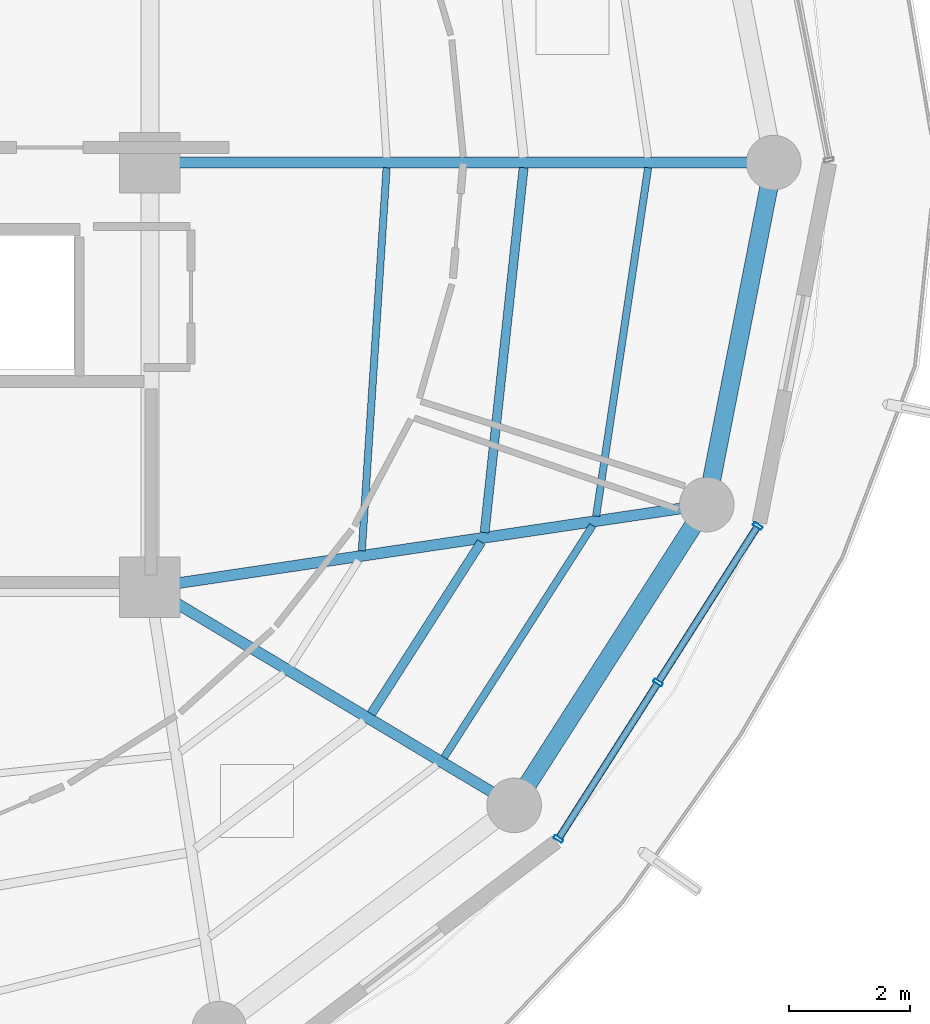
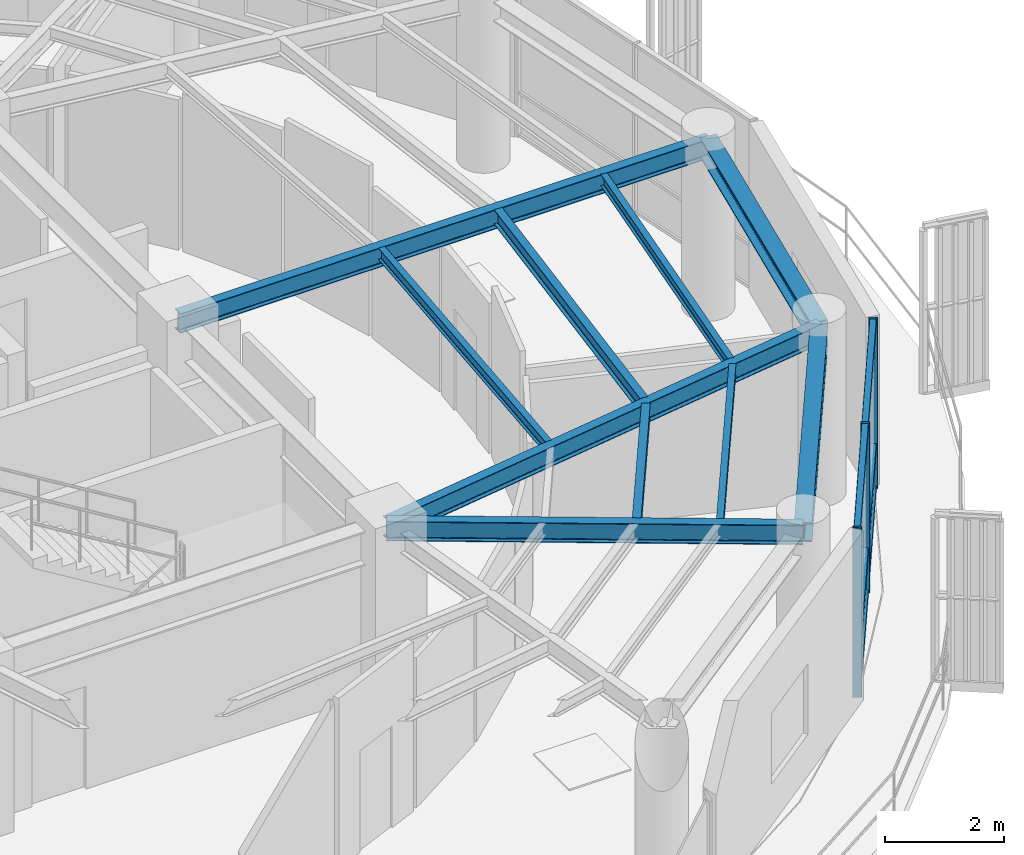
# One storey, part 10 of 23: 10 beams, 9 members, 1 element without a shape of its own.
"""IFC4 building model written with IfcOpenShell, lengths in metres."""

from ifc_helpers import new_model, si_unit, direction, frame, origin, origin_2d, place, context, subcontext, project, spatial, hollow_rectangle, i_section, extrude, material, layer, layer_set, material_profile, profile_set, type_object, element, aggregate, save


model = new_model("IFC4")

# Units and contexts
model_context = context("Model", 3, precision=1e-05, world=origin(), true_north=direction((0.0, 1.0)))
body_context = subcontext(model_context, "Body", "Model", "MODEL_VIEW")
ifc_project = project(units=[si_unit("LENGTHUNIT", "METRE"), si_unit("AREAUNIT", "SQUARE_METRE"), si_unit("VOLUMEUNIT", "CUBIC_METRE"), si_unit("PLANEANGLEUNIT", "RADIAN"), si_unit("MASSUNIT", "GRAM", prefix="KILO")], contexts=[model_context])

# Site, building, storey
site_placement = place(None, origin())
site = spatial("IfcSite", under=ifc_project, at=site_placement, CompositionType="ELEMENT")
building_placement = place(site_placement, origin())
building = spatial("IfcBuilding", under=site, at=building_placement, Name="Kelanora Arch Commons", CompositionType="ELEMENT")
storey_placement = place(building_placement, frame((0.0, 0.0, 282.449951171875)))
storey = spatial("IfcBuildingStorey", under=building, at=storey_placement, Name="L72", CompositionType="ELEMENT", Elevation=282.449951171875)

# Beams
ifc_material_1 = material(Name="Steel S355", Category="steel")
ifc_material_profile_1 = material_profile(ifc_material_1, i_section(OverallWidth=0.14990234375, OverallDepth=0.300048828125, WebThickness=0.007080078125, FlangeThickness=0.0107421875, FilletRadius=0.014892578125, at=origin_2d()), Name="IPE300")
ifc_profile_set_1 = profile_set([ifc_material_profile_1], Name="Steel S355")
beam_type_1 = type_object("IfcBeamType", Name="BM-JST-01", PredefinedType="JOIST", material=ifc_profile_set_1)
beam_1_placement = place(storey_placement, frame((85.647705078125, 48.915771484375, 3.340087890625), z_axis=(0.539321586177, 0.842099891155, 0.0), x_axis=(-0.842099891155, 0.539321586177, 0.0)))
element("IfcBeam", 1, at=beam_1_placement, inside=storey, type_object=beam_type_1, Name="Secondary Chord Joist BJB-32 L72", PredefinedType="JOIST", context=body_context, shape_type="SweptSolid", body=[
    extrude(i_section(OverallWidth=0.14990234375, OverallDepth=0.300048828125, WebThickness=0.007080078125, FlangeThickness=0.0107421875, FilletRadius=0.014892578125, at=origin_2d()), origin(), (0.0, 0.0, 1.0), 3.361572265625),
])
beam_2_placement = place(storey_placement, frame((87.515625, 51.902587890625, 3.340087890625), z_axis=(0.106380594087, 0.994325484538, 0.0), x_axis=(-0.994325484538, 0.106380594087, 0.0)))
element("IfcBeam", 2, at=beam_2_placement, inside=storey, type_object=beam_type_1, Name="Secondary Chord Joist BJB-34 L72", PredefinedType="JOIST", context=body_context, shape_type="SweptSolid", body=[
    extrude(i_section(OverallWidth=0.14990234375, OverallDepth=0.300048828125, WebThickness=0.007080078125, FlangeThickness=0.0107421875, FilletRadius=0.014892578125, at=origin_2d()), origin(), (0.0, 0.0, 1.0), 6.04736328125),
])
ifc_material_profile_2 = material_profile(ifc_material_1, i_section(OverallWidth=0.1201171875, OverallDepth=0.239990234375, WebThickness=0.006103515625, FlangeThickness=0.009765625, FilletRadius=0.014892578125, at=origin_2d()), Name="IPE240")
ifc_profile_set_2 = profile_set([ifc_material_profile_2], Name="Steel S355")
beam_type_2 = type_object("IfcBeamType", Name="BM-JST-02", PredefinedType="JOIST", material=ifc_profile_set_2)
beam_3_placement = place(storey_placement, frame((86.848388671875, 48.197021484375, 3.3701171875), z_axis=(0.539288735289, 0.842120929552, 0.0), x_axis=(-0.842120929552, 0.539288735289, 0.0)))
element("IfcBeam", 3, at=beam_3_placement, inside=storey, type_object=beam_type_2, Name="Secondary Chord Joist BJC-32 L72", PredefinedType="JOIST", context=body_context, shape_type="SweptSolid", body=[
    extrude(i_section(OverallWidth=0.1201171875, OverallDepth=0.239990234375, WebThickness=0.006103515625, FlangeThickness=0.009765625, FilletRadius=0.014892578125, at=origin_2d()), origin(), (0.0, 0.0, 1.0), 4.538818359375),
])
beam_4_placement = place(storey_placement, frame((85.492919921875, 51.60302734375, 3.3701171875), z_axis=(0.064495107978, 0.99791802321, 0.0), x_axis=(-0.99791802321, 0.064495107978, 0.0)))
element("IfcBeam", 4, at=beam_4_placement, inside=storey, type_object=beam_type_2, Name="Secondary Chord Joist BJA-34 L72", PredefinedType="JOIST", context=body_context, shape_type="SweptSolid", body=[
    extrude(i_section(OverallWidth=0.1201171875, OverallDepth=0.239990234375, WebThickness=0.006103515625, FlangeThickness=0.009765625, FilletRadius=0.014892578125, at=origin_2d()), origin(), (0.0, 0.0, 1.0), 6.325439453125),
])
beam_5_placement = place(storey_placement, frame((89.3544921875, 52.1748046875, 3.3701171875), z_axis=(0.14762470282, 0.989043450571, 0.0), x_axis=(-0.989043450571, 0.14762470282, 0.0)))
element("IfcBeam", 5, at=beam_5_placement, inside=storey, type_object=beam_type_2, Name="Secondary Chord Joist BJC-34 L72", PredefinedType="JOIST", context=body_context, shape_type="SweptSolid", body=[
    extrude(i_section(OverallWidth=0.1201171875, OverallDepth=0.239990234375, WebThickness=0.006103515625, FlangeThickness=0.009765625, FilletRadius=0.014892578125, at=origin_2d()), origin(), (0.0, 0.0, 1.0), 5.804931640625),
])
ifc_material_profile_3 = material_profile(ifc_material_1, i_section(OverallWidth=0.179931640625, OverallDepth=0.39990234375, WebThickness=0.008544921875, FlangeThickness=0.013427734375, FilletRadius=0.02099609375, at=origin_2d()), Name="IPE400")
ifc_profile_set_3 = profile_set([ifc_material_profile_3], Name="Steel S355")
beam_type_3 = type_object("IfcBeamType", Name="BM-RAD-Z5", PredefinedType="BEAM", material=ifc_profile_set_3)
beam_6_placement = place(storey_placement, frame((82.0, 58.0, 3.2900390625), z_axis=(1.0, 0.0, 0.0), x_axis=(0.0, 1.0, 0.0)))
element("IfcBeam", 6, at=beam_6_placement, inside=storey, type_object=beam_type_3, Name="Radial Floor Girder BR-00 L72", PredefinedType="BEAM", context=body_context, shape_type="SweptSolid", body=[
    extrude(i_section(OverallWidth=0.179931640625, OverallDepth=0.39990234375, WebThickness=0.008544921875, FlangeThickness=0.013427734375, FilletRadius=0.02099609375, at=origin_2d()), origin(), (0.0, 0.0, 1.0), 10.280029296875),
])
beam_7_placement = place(storey_placement, frame((82.0, 51.0, 3.2900390625), z_axis=(0.858062005744, -0.513546097541, 0.0), x_axis=(0.513546097541, 0.858062005744, 0.0)))
element("IfcBeam", 7, at=beam_7_placement, inside=storey, type_object=beam_type_3, Name="Radial Floor Girder BR-32 L72", PredefinedType="BEAM", context=body_context, shape_type="SweptSolid", body=[
    extrude(i_section(OverallWidth=0.179931640625, OverallDepth=0.39990234375, WebThickness=0.008544921875, FlangeThickness=0.013427734375, FilletRadius=0.02099609375, at=origin_2d()), origin(), (0.0, 0.0, 1.0), 6.99658203125),
])
beam_8_placement = place(storey_placement, frame((82.0, 51.0, 3.2900390625), z_axis=(0.989142485564, 0.146959665395, 0.0), x_axis=(-0.146959665395, 0.989142485564, 0.0)))
element("IfcBeam", 8, at=beam_8_placement, inside=storey, type_object=beam_type_3, Name="Radial Floor Girder BR-34 L72", PredefinedType="BEAM", context=body_context, shape_type="SweptSolid", body=[
    extrude(i_section(OverallWidth=0.179931640625, OverallDepth=0.39990234375, WebThickness=0.008544921875, FlangeThickness=0.013427734375, FilletRadius=0.02099609375, at=origin_2d()), origin(), (0.0, 0.0, 1.0), 9.2783203125),
])
ifc_material_profile_4 = material_profile(ifc_material_1, i_section(OverallWidth=0.300048828125, OverallDepth=0.39990234375, WebThickness=0.013427734375, FlangeThickness=0.02392578125, FilletRadius=0.027099609375, at=origin_2d()), Name="HEB400")
ifc_profile_set_4 = profile_set([ifc_material_profile_4], Name="Steel S355")
beam_type_4 = type_object("IfcBeamType", Name="BM-SPN-Z4", PredefinedType="SPANDREL", material=ifc_profile_set_4)
beam_9_placement = place(storey_placement, frame((88.00341796875, 47.406982421875, 3.2900390625), z_axis=(0.539280851353, 0.842125978322, 0.0), x_axis=(-0.842125978322, 0.539280851353, 0.0)))
element("IfcBeam", 9, at=beam_9_placement, inside=storey, type_object=beam_type_4, Name="Perimeter Spandrel Beam BS-32 L72", PredefinedType="SPANDREL", context=body_context, shape_type="SweptSolid", body=[
    extrude(i_section(OverallWidth=0.300048828125, OverallDepth=0.39990234375, WebThickness=0.013427734375, FlangeThickness=0.02392578125, FilletRadius=0.027099609375, at=origin_2d()), origin(), (0.0, 0.0, 1.0), 5.8857421875),
])
beam_10_placement = place(storey_placement, frame((91.177490234375, 52.363525390625, 3.2900390625), z_axis=(0.191969774604, 0.981400838413, 0.0), x_axis=(-0.981400838413, 0.191969774604, 0.0)))
element("IfcBeam", 10, at=beam_10_placement, inside=storey, type_object=beam_type_4, Name="Perimeter Spandrel Beam BS-34 L72", PredefinedType="SPANDREL", context=body_context, shape_type="SweptSolid", body=[
    extrude(i_section(OverallWidth=0.300048828125, OverallDepth=0.39990234375, WebThickness=0.013427734375, FlangeThickness=0.02392578125, FilletRadius=0.027099609375, at=origin_2d()), origin(), (0.0, 0.0, 1.0), 5.743408203125),
])

# Curtain wall, members
ifc_material_2 = material(Name="Terracotta ceramic-fritted low-E glass and aluminium", Category="masonry")
ifc_layer = layer(ifc_material_2, 0.18994140625)
ifc_layer_set = layer_set([ifc_layer], Name="Terracotta ceramic-fritted low-E glass and aluminium")
curtain_wall_type = type_object("IfcCurtainWallType", Name="CW-SYS-03", PredefinedType="NOTDEFINED", material=ifc_layer_set)
curtain_wall_placement = place(storey_placement, origin())
curtain_wall = element("IfcCurtainWall", 11, at=curtain_wall_placement, inside=storey, type_object=curtain_wall_type, Name="Unitised Curtain Wall L72-B16", PredefinedType="NOTDEFINED")
ifc_material_3 = material(Name="Powder-coated aluminium terracotta", Category="masonry")
ifc_material_profile_5 = material_profile(ifc_material_3, hollow_rectangle(XDim=0.159912109375, YDim=0.06005859375, WallThickness=0.0048828125, InnerFilletRadius=0.0048828125, OuterFilletRadius=0.010009765625, at=origin_2d()), Name="CWM160x60")
ifc_profile_set_5 = profile_set([ifc_material_profile_5], Name="Powder-coated aluminium terracotta")
member_type_1 = type_object("IfcMemberType", Name="CWM-STD", PredefinedType="MULLION", material=ifc_profile_set_5)
member_1_placement = place(storey_placement, frame((88.732421875, 46.853515625, 0.0), z_axis=(0.0, 0.0, 1.0), x_axis=(-0.843391314545, 0.537299814397, 0.0)))
member_1 = element("IfcMember", 12, at=member_1_placement, type_object=member_type_1, Name="CW-03 mullion 1", PredefinedType="MULLION", context=body_context, shape_type="SweptSolid", body=[
    extrude(hollow_rectangle(XDim=0.159912109375, YDim=0.06005859375, WallThickness=0.0048828125, InnerFilletRadius=0.0048828125, OuterFilletRadius=0.010009765625, at=origin_2d()), origin(), (0.0, 0.0, 1.0), 3.47509765625),
])
member_2_placement = place(storey_placement, frame((90.375, 49.43212890625, 0.0), z_axis=(0.0, 0.0, 1.0), x_axis=(-0.843391314545, 0.537299814397, 0.0)))
member_2 = element("IfcMember", 13, at=member_2_placement, type_object=member_type_1, Name="CW-03 mullion 2", PredefinedType="MULLION", context=body_context, shape_type="SweptSolid", body=[
    extrude(hollow_rectangle(XDim=0.159912109375, YDim=0.06005859375, WallThickness=0.0048828125, InnerFilletRadius=0.0048828125, OuterFilletRadius=0.010009765625, at=origin_2d()), origin(), (0.0, 0.0, 1.0), 3.47509765625),
])
member_3_placement = place(storey_placement, frame((92.017822265625, 52.0107421875, 0.0), z_axis=(0.0, 0.0, 1.0), x_axis=(-0.843391314545, 0.537299814397, 0.0)))
member_3 = element("IfcMember", 14, at=member_3_placement, type_object=member_type_1, Name="CW-03 mullion 3", PredefinedType="MULLION", context=body_context, shape_type="SweptSolid", body=[
    extrude(hollow_rectangle(XDim=0.159912109375, YDim=0.06005859375, WallThickness=0.0048828125, InnerFilletRadius=0.0048828125, OuterFilletRadius=0.010009765625, at=origin_2d()), origin(), (0.0, 0.0, 1.0), 3.47509765625),
])
ifc_material_profile_6 = material_profile(ifc_material_3, hollow_rectangle(XDim=0.1201171875, YDim=0.06005859375, WallThickness=0.0048828125, InnerFilletRadius=0.0048828125, OuterFilletRadius=0.010009765625, at=origin_2d()), Name="CWT120x60")
ifc_profile_set_6 = profile_set([ifc_material_profile_6], Name="Powder-coated aluminium terracotta")
member_type_2 = type_object("IfcMemberType", Name="CWT-STD", PredefinedType="USERDEFINED", material=ifc_profile_set_6)
member_4_placement = place(storey_placement, frame((88.74853515625, 46.87890625, 0.030029296875), z_axis=(0.537286543791, 0.84339976871, 0.0), x_axis=(-0.84339976871, 0.537286543791, 0.0)))
member_4 = element("IfcMember", 15, at=member_4_placement, type_object=member_type_2, Name="CW-03 transom 1.1", ObjectType="TRANSOM", PredefinedType="USERDEFINED", context=body_context, shape_type="SweptSolid", body=[
    extrude(hollow_rectangle(XDim=0.1201171875, YDim=0.06005859375, WallThickness=0.0048828125, InnerFilletRadius=0.0048828125, OuterFilletRadius=0.010009765625, at=origin_2d()), origin(), (0.0, 0.0, 1.0), 2.997314453125),
])
member_5_placement = place(storey_placement, frame((88.74853515625, 46.87890625, 0.900146484375), z_axis=(0.537286543791, 0.84339976871, 0.0), x_axis=(-0.84339976871, 0.537286543791, 0.0)))
member_5 = element("IfcMember", 16, at=member_5_placement, type_object=member_type_2, Name="CW-03 transom 1.2", ObjectType="TRANSOM", PredefinedType="USERDEFINED", context=body_context, shape_type="SweptSolid", body=[
    extrude(hollow_rectangle(XDim=0.1201171875, YDim=0.06005859375, WallThickness=0.0048828125, InnerFilletRadius=0.0048828125, OuterFilletRadius=0.010009765625, at=origin_2d()), origin(), (0.0, 0.0, 1.0), 2.997314453125),
])
member_6_placement = place(storey_placement, frame((88.74853515625, 46.87890625, 3.445068359375), z_axis=(0.537286543791, 0.84339976871, 0.0), x_axis=(-0.84339976871, 0.537286543791, 0.0)))
member_6 = element("IfcMember", 17, at=member_6_placement, type_object=member_type_2, Name="CW-03 transom 1.3", ObjectType="TRANSOM", PredefinedType="USERDEFINED", context=body_context, shape_type="SweptSolid", body=[
    extrude(hollow_rectangle(XDim=0.1201171875, YDim=0.06005859375, WallThickness=0.0048828125, InnerFilletRadius=0.0048828125, OuterFilletRadius=0.010009765625, at=origin_2d()), origin(), (0.0, 0.0, 1.0), 2.997314453125),
])
member_7_placement = place(storey_placement, frame((90.39111328125, 49.45751953125, 0.030029296875), z_axis=(0.537307571338, 0.843386372775, 0.0), x_axis=(-0.843386372775, 0.537307571338, 0.0)))
member_7 = element("IfcMember", 18, at=member_7_placement, type_object=member_type_2, Name="CW-03 transom 2.1", ObjectType="TRANSOM", PredefinedType="USERDEFINED", context=body_context, shape_type="SweptSolid", body=[
    extrude(hollow_rectangle(XDim=0.1201171875, YDim=0.06005859375, WallThickness=0.0048828125, InnerFilletRadius=0.0048828125, OuterFilletRadius=0.010009765625, at=origin_2d()), origin(), (0.0, 0.0, 1.0), 2.99755859375),
])
member_8_placement = place(storey_placement, frame((90.39111328125, 49.45751953125, 0.900146484375), z_axis=(0.537307571338, 0.843386372775, 0.0), x_axis=(-0.843386372775, 0.537307571338, 0.0)))
member_8 = element("IfcMember", 19, at=member_8_placement, type_object=member_type_2, Name="CW-03 transom 2.2", ObjectType="TRANSOM", PredefinedType="USERDEFINED", context=body_context, shape_type="SweptSolid", body=[
    extrude(hollow_rectangle(XDim=0.1201171875, YDim=0.06005859375, WallThickness=0.0048828125, InnerFilletRadius=0.0048828125, OuterFilletRadius=0.010009765625, at=origin_2d()), origin(), (0.0, 0.0, 1.0), 2.99755859375),
])
member_9_placement = place(storey_placement, frame((90.39111328125, 49.45751953125, 3.445068359375), z_axis=(0.537307571338, 0.843386372775, 0.0), x_axis=(-0.843386372775, 0.537307571338, 0.0)))
member_9 = element("IfcMember", 20, at=member_9_placement, type_object=member_type_2, Name="CW-03 transom 2.3", ObjectType="TRANSOM", PredefinedType="USERDEFINED", context=body_context, shape_type="SweptSolid", body=[
    extrude(hollow_rectangle(XDim=0.1201171875, YDim=0.06005859375, WallThickness=0.0048828125, InnerFilletRadius=0.0048828125, OuterFilletRadius=0.010009765625, at=origin_2d()), origin(), (0.0, 0.0, 1.0), 2.99755859375),
])
aggregate(curtain_wall, [member_1, member_2, member_3, member_4, member_5, member_6, member_7, member_8, member_9])

save(model, "model.ifc")
